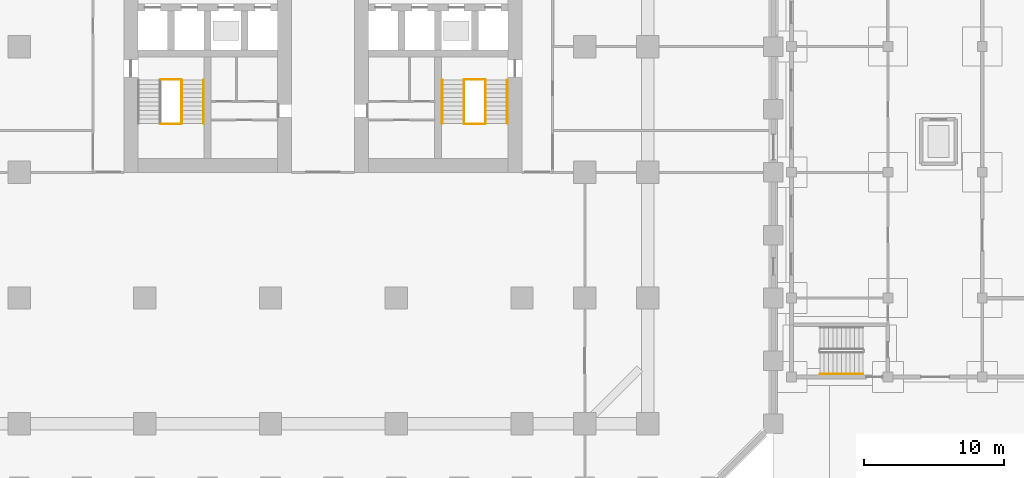
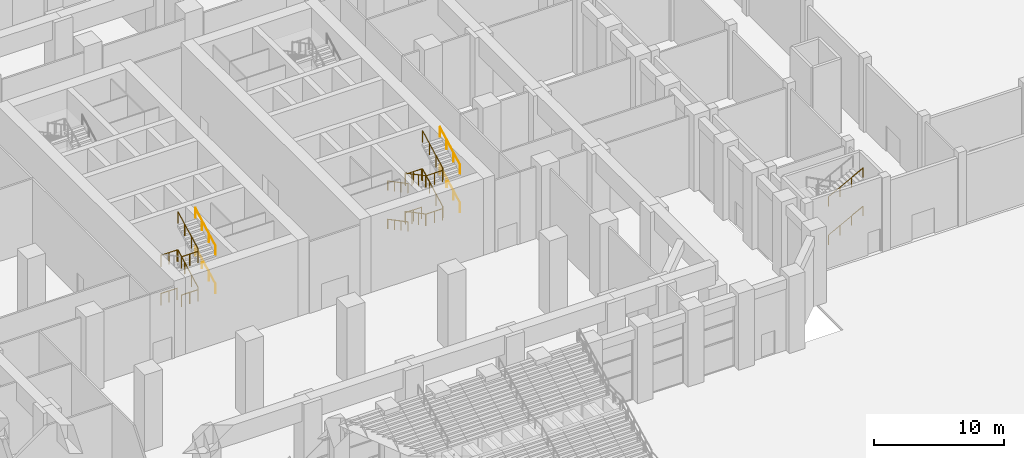
# One storey, part 23 of 30: 22 railings.
"""IFC4 building model written with IfcOpenShell, lengths in metres."""

from ifc_helpers import new_model, si_unit, direction, frame, origin, origin_2d, place, context, subcontext, project, spatial, circle, extrude, material, type_object, element, save


model = new_model("IFC4")

# Units and contexts
model_context = context("Model", 3, precision=1e-05, world=origin(), true_north=direction((0.0, 1.0)))
body_context = subcontext(model_context, "Body", "Model", "MODEL_VIEW")
ifc_project = project(units=[si_unit("LENGTHUNIT", "METRE"), si_unit("AREAUNIT", "SQUARE_METRE"), si_unit("VOLUMEUNIT", "CUBIC_METRE"), si_unit("PLANEANGLEUNIT", "RADIAN"), si_unit("MASSUNIT", "GRAM", prefix="KILO")], contexts=[model_context])

# Site, building, storey
site_placement = place(None, origin())
site = spatial("IfcSite", under=ifc_project, at=site_placement, CompositionType="ELEMENT")
building_placement = place(site_placement, origin())
building = spatial("IfcBuilding", under=site, at=building_placement, Name="Corbel Stack Research Tower", CompositionType="ELEMENT")
storey_placement = place(building_placement, origin())
storey = spatial("IfcBuildingStorey", under=building, at=storey_placement, Name="L00", CompositionType="ELEMENT", Elevation=0.0)

# Railings
ifc_material_1 = material(Name="Steel S235", Category="steel")
railing_type_1 = type_object("IfcRailingType", Name="HR2 handrail 900", PredefinedType="HANDRAIL", material=ifc_material_1)
railing_1_placement = place(storey_placement, frame((39.324951171875, -23.449951171875, 1.963623046875)))
element("IfcRailing", 1, at=railing_1_placement, inside=storey, type_object=railing_type_1, Name="L00 HS1 stair handrail 2", PredefinedType="HANDRAIL", context=body_context, shape_type="SweptSolid", body=[
    extrude(circle(Radius=0.02392578125, at=origin_2d()), frame((0.0, 0.0, 0.8759765625), z_axis=(0.884348015382, 0.0, 0.466828220752), x_axis=(0.0, 1.0, 0.0)), (0.0, 0.0, 1.0), 3.505615234375),
    extrude(circle(Radius=0.02099609375, at=origin_2d()), origin(), (0.0, 0.0, 1.0), 0.851806640625),
    extrude(circle(Radius=0.02099609375, at=origin_2d()), frame((1.033447265625, 0.0, 0.54541015625)), (0.0, 0.0, 1.0), 0.851806640625),
    extrude(circle(Radius=0.02099609375, at=origin_2d()), frame((2.066650390625, 0.0, 1.091064453125)), (0.0, 0.0, 1.0), 0.851806640625),
    extrude(circle(Radius=0.02099609375, at=origin_2d()), frame((3.10009765625, 0.0, 1.636474609375)), (0.0, 0.0, 1.0), 0.851806640625),
])
railing_2_placement = place(storey_placement, frame((39.324951171875, -23.449951171875, 5.563720703125)))
element("IfcRailing", 2, at=railing_2_placement, inside=storey, type_object=railing_type_1, Name="L00 HS1 stair handrail 4", PredefinedType="HANDRAIL", context=body_context, shape_type="SweptSolid", body=[
    extrude(circle(Radius=0.02392578125, at=origin_2d()), frame((0.0, 0.0, 0.8759765625), z_axis=(0.884376766648, 0.0, 0.46677375099), x_axis=(0.0, 1.0, 0.0)), (0.0, 0.0, 1.0), 3.50537109375),
    extrude(circle(Radius=0.02099609375, at=origin_2d()), origin(), (0.0, 0.0, 1.0), 0.851806640625),
    extrude(circle(Radius=0.02099609375, at=origin_2d()), frame((1.033447265625, 0.0, 0.54541015625)), (0.0, 0.0, 1.0), 0.851806640625),
    extrude(circle(Radius=0.02099609375, at=origin_2d()), frame((2.066650390625, 0.0, 1.0908203125)), (0.0, 0.0, 1.0), 0.851806640625),
    extrude(circle(Radius=0.02099609375, at=origin_2d()), frame((3.10009765625, 0.0, 1.63623046875)), (0.0, 0.0, 1.0), 0.851806640625),
])
ifc_material_2 = material(Name="Steel S355", Category="steel")
railing_type_2 = type_object("IfcRailingType", Name="Stair guard 1100", PredefinedType="GUARDRAIL", material=ifc_material_2)
railing_3_placement = place(storey_placement, frame((-7.85009765625, -5.550048828125, 1.800048828125)))
element("IfcRailing", 3, at=railing_3_placement, inside=storey, type_object=railing_type_2, Name="L00 ST-W1 stair guard 2", PredefinedType="GUARDRAIL", context=body_context, shape_type="SweptSolid", body=[
    extrude(circle(Radius=0.02392578125, at=origin_2d()), frame((0.0, 0.0, 1.076171875), z_axis=(1.0, 0.0, 0.0), x_axis=(0.0, 1.0, 0.0)), (0.0, 0.0, 1.0), 1.4501953125),
    extrude(circle(Radius=0.02099609375, at=origin_2d()), origin(), (0.0, 0.0, 1.0), 1.052001953125),
    extrude(circle(Radius=0.02099609375, at=origin_2d()), frame((0.72509765625, 0.0, 0.0)), (0.0, 0.0, 1.0), 1.052001953125),
    extrude(circle(Radius=0.02099609375, at=origin_2d()), frame((1.4501953125, 0.0, 0.0)), (0.0, 0.0, 1.0), 1.052001953125),
])
railing_4_placement = place(storey_placement, frame((-6.35009765625, -5.5, 1.963623046875)))
element("IfcRailing", 4, at=railing_4_placement, inside=storey, type_object=railing_type_2, Name="L00 ST-W1 stair guard 3", PredefinedType="GUARDRAIL", context=body_context, shape_type="SweptSolid", body=[
    extrude(circle(Radius=0.02392578125, at=origin_2d()), frame((0.0, 0.0, 1.076171875), z_axis=(0.0, 0.884348015382, 0.466828220752), x_axis=(-1.0, 0.0, 0.0)), (0.0, 0.0, 1.0), 3.505615234375),
    extrude(circle(Radius=0.02099609375, at=origin_2d()), origin(), (0.0, 0.0, 1.0), 1.052001953125),
    extrude(circle(Radius=0.02099609375, at=origin_2d()), frame((0.0, 1.033447265625, 0.54541015625)), (0.0, 0.0, 1.0), 1.052001953125),
    extrude(circle(Radius=0.02099609375, at=origin_2d()), frame((0.0, 2.066650390625, 1.091064453125)), (0.0, 0.0, 1.0), 1.052001953125),
    extrude(circle(Radius=0.02099609375, at=origin_2d()), frame((0.0, 3.10009765625, 1.636474609375)), (0.0, 0.0, 1.0), 1.052001953125),
])
for number, where, name in (
    (5, (-7.85009765625, -2.35009765625, 3.60009765625), "L00 ST-W1 stair guard 4"),
    (6, (-7.85009765625, -5.550048828125, 5.39990234375), "L00 ST-W1 stair guard 6"),
):
    element("IfcRailing", number, at=place(storey_placement, frame(where)), inside=storey, type_object=railing_type_2, Name=name, PredefinedType="GUARDRAIL", context=body_context, shape_type="SweptSolid", body=[
        extrude(circle(Radius=0.02392578125, at=origin_2d()), frame((0.0, 0.0, 1.076171875), z_axis=(1.0, 0.0, 0.0), x_axis=(0.0, 1.0, 0.0)), (0.0, 0.0, 1.0), 1.4501953125),
        extrude(circle(Radius=0.02099609375, at=origin_2d()), origin(), (0.0, 0.0, 1.0), 1.052001953125),
        extrude(circle(Radius=0.02099609375, at=origin_2d()), frame((0.72509765625, 0.0, 0.0)), (0.0, 0.0, 1.0), 1.052001953125),
        extrude(circle(Radius=0.02099609375, at=origin_2d()), frame((1.4501953125, 0.0, 0.0)), (0.0, 0.0, 1.0), 1.052001953125),
    ])
railing_5_placement = place(storey_placement, frame((-6.35009765625, -5.5, 5.563720703125)))
element("IfcRailing", 7, at=railing_5_placement, inside=storey, type_object=railing_type_2, Name="L00 ST-W1 stair guard 7", PredefinedType="GUARDRAIL", context=body_context, shape_type="SweptSolid", body=[
    extrude(circle(Radius=0.02392578125, at=origin_2d()), frame((0.0, 0.0, 1.076171875), z_axis=(0.0, 0.884376766648, 0.46677375099), x_axis=(-1.0, 0.0, 0.0)), (0.0, 0.0, 1.0), 3.50537109375),
    extrude(circle(Radius=0.02099609375, at=origin_2d()), origin(), (0.0, 0.0, 1.0), 1.052001953125),
    extrude(circle(Radius=0.02099609375, at=origin_2d()), frame((0.0, 1.033447265625, 0.54541015625)), (0.0, 0.0, 1.0), 1.052001953125),
    extrude(circle(Radius=0.02099609375, at=origin_2d()), frame((0.0, 2.066650390625, 1.0908203125)), (0.0, 0.0, 1.0), 1.052001953125),
    extrude(circle(Radius=0.02099609375, at=origin_2d()), frame((0.0, 3.10009765625, 1.63623046875)), (0.0, 0.0, 1.0), 1.052001953125),
])
railing_6_placement = place(storey_placement, frame((-7.85009765625, -2.35009765625, 0.0)))
element("IfcRailing", 8, at=railing_6_placement, inside=storey, type_object=railing_type_2, Name="L00 ST-W1 stair guard 8", PredefinedType="GUARDRAIL", context=body_context, shape_type="SweptSolid", body=[
    extrude(circle(Radius=0.02392578125, at=origin_2d()), frame((0.0, 0.0, 1.076171875), z_axis=(1.0, 0.0, 0.0), x_axis=(0.0, 1.0, 0.0)), (0.0, 0.0, 1.0), 1.4501953125),
    extrude(circle(Radius=0.02099609375, at=origin_2d()), origin(), (0.0, 0.0, 1.0), 1.052001953125),
    extrude(circle(Radius=0.02099609375, at=origin_2d()), frame((0.72509765625, 0.0, 0.0)), (0.0, 0.0, 1.0), 1.052001953125),
    extrude(circle(Radius=0.02099609375, at=origin_2d()), frame((1.4501953125, 0.0, 0.0)), (0.0, 0.0, 1.0), 1.052001953125),
])
railing_7_placement = place(storey_placement, frame((13.85009765625, -2.39990234375, 0.16357421875)))
element("IfcRailing", 9, at=railing_7_placement, inside=storey, type_object=railing_type_2, Name="L00 ST-E1 stair guard 1", PredefinedType="GUARDRAIL", context=body_context, shape_type="SweptSolid", body=[
    extrude(circle(Radius=0.02392578125, at=origin_2d()), frame((0.0, 0.0, 1.076171875), z_axis=(0.0, -0.884348015382, 0.466828220752), x_axis=(1.0, 0.0, 0.0)), (0.0, 0.0, 1.0), 3.505615234375),
    extrude(circle(Radius=0.02099609375, at=origin_2d()), origin(), (0.0, 0.0, 1.0), 1.052001953125),
    extrude(circle(Radius=0.02099609375, at=origin_2d()), frame((0.0, -1.033447265625, 0.54541015625)), (0.0, 0.0, 1.0), 1.052001953125),
    extrude(circle(Radius=0.02099609375, at=origin_2d()), frame((0.0, -2.066650390625, 1.091064453125)), (0.0, 0.0, 1.0), 1.052001953125),
    extrude(circle(Radius=0.02099609375, at=origin_2d()), frame((0.0, -3.10009765625, 1.636474609375)), (0.0, 0.0, 1.0), 1.052001953125),
])
railing_8_placement = place(storey_placement, frame((13.89990234375, -5.550048828125, 1.800048828125)))
element("IfcRailing", 10, at=railing_8_placement, inside=storey, type_object=railing_type_2, Name="L00 ST-E1 stair guard 2", PredefinedType="GUARDRAIL", context=body_context, shape_type="SweptSolid", body=[
    extrude(circle(Radius=0.02392578125, at=origin_2d()), frame((0.0, 0.0, 1.076171875), z_axis=(1.0, 0.0, 0.0), x_axis=(0.0, 1.0, 0.0)), (0.0, 0.0, 1.0), 1.4501953125),
    extrude(circle(Radius=0.02099609375, at=origin_2d()), origin(), (0.0, 0.0, 1.0), 1.052001953125),
    extrude(circle(Radius=0.02099609375, at=origin_2d()), frame((0.72509765625, 0.0, 0.0)), (0.0, 0.0, 1.0), 1.052001953125),
    extrude(circle(Radius=0.02099609375, at=origin_2d()), frame((1.4501953125, 0.0, 0.0)), (0.0, 0.0, 1.0), 1.052001953125),
])
railing_9_placement = place(storey_placement, frame((15.39990234375, -5.5, 1.963623046875)))
element("IfcRailing", 11, at=railing_9_placement, inside=storey, type_object=railing_type_2, Name="L00 ST-E1 stair guard 3", PredefinedType="GUARDRAIL", context=body_context, shape_type="SweptSolid", body=[
    extrude(circle(Radius=0.02392578125, at=origin_2d()), frame((0.0, 0.0, 1.076171875), z_axis=(0.0, 0.884348015382, 0.466828220752), x_axis=(-1.0, 0.0, 0.0)), (0.0, 0.0, 1.0), 3.505615234375),
    extrude(circle(Radius=0.02099609375, at=origin_2d()), origin(), (0.0, 0.0, 1.0), 1.052001953125),
    extrude(circle(Radius=0.02099609375, at=origin_2d()), frame((0.0, 1.033447265625, 0.54541015625)), (0.0, 0.0, 1.0), 1.052001953125),
    extrude(circle(Radius=0.02099609375, at=origin_2d()), frame((0.0, 2.066650390625, 1.091064453125)), (0.0, 0.0, 1.0), 1.052001953125),
    extrude(circle(Radius=0.02099609375, at=origin_2d()), frame((0.0, 3.10009765625, 1.636474609375)), (0.0, 0.0, 1.0), 1.052001953125),
])
railing_10_placement = place(storey_placement, frame((13.89990234375, -2.35009765625, 3.60009765625)))
element("IfcRailing", 12, at=railing_10_placement, inside=storey, type_object=railing_type_2, Name="L00 ST-E1 stair guard 4", PredefinedType="GUARDRAIL", context=body_context, shape_type="SweptSolid", body=[
    extrude(circle(Radius=0.02392578125, at=origin_2d()), frame((0.0, 0.0, 1.076171875), z_axis=(1.0, 0.0, 0.0), x_axis=(0.0, 1.0, 0.0)), (0.0, 0.0, 1.0), 1.4501953125),
    extrude(circle(Radius=0.02099609375, at=origin_2d()), origin(), (0.0, 0.0, 1.0), 1.052001953125),
    extrude(circle(Radius=0.02099609375, at=origin_2d()), frame((0.72509765625, 0.0, 0.0)), (0.0, 0.0, 1.0), 1.052001953125),
    extrude(circle(Radius=0.02099609375, at=origin_2d()), frame((1.4501953125, 0.0, 0.0)), (0.0, 0.0, 1.0), 1.052001953125),
])
railing_11_placement = place(storey_placement, frame((13.85009765625, -2.39990234375, 3.763671875)))
element("IfcRailing", 13, at=railing_11_placement, inside=storey, type_object=railing_type_2, Name="L00 ST-E1 stair guard 5", PredefinedType="GUARDRAIL", context=body_context, shape_type="SweptSolid", body=[
    extrude(circle(Radius=0.02392578125, at=origin_2d()), frame((0.0, 0.0, 1.076171875), z_axis=(0.0, -0.884376766648, 0.46677375099), x_axis=(1.0, 0.0, 0.0)), (0.0, 0.0, 1.0), 3.50537109375),
    extrude(circle(Radius=0.02099609375, at=origin_2d()), origin(), (0.0, 0.0, 1.0), 1.052001953125),
    extrude(circle(Radius=0.02099609375, at=origin_2d()), frame((0.0, -1.033447265625, 0.54541015625)), (0.0, 0.0, 1.0), 1.052001953125),
    extrude(circle(Radius=0.02099609375, at=origin_2d()), frame((0.0, -2.066650390625, 1.0908203125)), (0.0, 0.0, 1.0), 1.052001953125),
    extrude(circle(Radius=0.02099609375, at=origin_2d()), frame((0.0, -3.10009765625, 1.63623046875)), (0.0, 0.0, 1.0), 1.052001953125),
])
railing_12_placement = place(storey_placement, frame((13.89990234375, -5.550048828125, 5.39990234375)))
element("IfcRailing", 14, at=railing_12_placement, inside=storey, type_object=railing_type_2, Name="L00 ST-E1 stair guard 6", PredefinedType="GUARDRAIL", context=body_context, shape_type="SweptSolid", body=[
    extrude(circle(Radius=0.02392578125, at=origin_2d()), frame((0.0, 0.0, 1.076171875), z_axis=(1.0, 0.0, 0.0), x_axis=(0.0, 1.0, 0.0)), (0.0, 0.0, 1.0), 1.4501953125),
    extrude(circle(Radius=0.02099609375, at=origin_2d()), origin(), (0.0, 0.0, 1.0), 1.052001953125),
    extrude(circle(Radius=0.02099609375, at=origin_2d()), frame((0.72509765625, 0.0, 0.0)), (0.0, 0.0, 1.0), 1.052001953125),
    extrude(circle(Radius=0.02099609375, at=origin_2d()), frame((1.4501953125, 0.0, 0.0)), (0.0, 0.0, 1.0), 1.052001953125),
])
railing_13_placement = place(storey_placement, frame((15.39990234375, -5.5, 5.563720703125)))
element("IfcRailing", 15, at=railing_13_placement, inside=storey, type_object=railing_type_2, Name="L00 ST-E1 stair guard 7", PredefinedType="GUARDRAIL", context=body_context, shape_type="SweptSolid", body=[
    extrude(circle(Radius=0.02392578125, at=origin_2d()), frame((0.0, 0.0, 1.076171875), z_axis=(0.0, 0.884376766648, 0.46677375099), x_axis=(-1.0, 0.0, 0.0)), (0.0, 0.0, 1.0), 3.50537109375),
    extrude(circle(Radius=0.02099609375, at=origin_2d()), origin(), (0.0, 0.0, 1.0), 1.052001953125),
    extrude(circle(Radius=0.02099609375, at=origin_2d()), frame((0.0, 1.033447265625, 0.54541015625)), (0.0, 0.0, 1.0), 1.052001953125),
    extrude(circle(Radius=0.02099609375, at=origin_2d()), frame((0.0, 2.066650390625, 1.0908203125)), (0.0, 0.0, 1.0), 1.052001953125),
    extrude(circle(Radius=0.02099609375, at=origin_2d()), frame((0.0, 3.10009765625, 1.63623046875)), (0.0, 0.0, 1.0), 1.052001953125),
])
railing_14_placement = place(storey_placement, frame((13.89990234375, -2.35009765625, 0.0)))
element("IfcRailing", 16, at=railing_14_placement, inside=storey, type_object=railing_type_2, Name="L00 ST-E1 stair guard 8", PredefinedType="GUARDRAIL", context=body_context, shape_type="SweptSolid", body=[
    extrude(circle(Radius=0.02392578125, at=origin_2d()), frame((0.0, 0.0, 1.076171875), z_axis=(1.0, 0.0, 0.0), x_axis=(0.0, 1.0, 0.0)), (0.0, 0.0, 1.0), 1.4501953125),
    extrude(circle(Radius=0.02099609375, at=origin_2d()), origin(), (0.0, 0.0, 1.0), 1.052001953125),
    extrude(circle(Radius=0.02099609375, at=origin_2d()), frame((0.72509765625, 0.0, 0.0)), (0.0, 0.0, 1.0), 1.052001953125),
    extrude(circle(Radius=0.02099609375, at=origin_2d()), frame((1.4501953125, 0.0, 0.0)), (0.0, 0.0, 1.0), 1.052001953125),
])
ifc_material_3 = material(Name="Steel S355", Category="steel")
railing_type_3 = type_object("IfcRailingType", Name="Stair handrail 900", PredefinedType="HANDRAIL", material=ifc_material_3)
railing_15_placement = place(storey_placement, frame((-4.800048828125, -5.5, 1.963623046875)))
element("IfcRailing", 17, at=railing_15_placement, inside=storey, type_object=railing_type_3, Name="L00 ST-W1 stair handrail 2", PredefinedType="HANDRAIL", context=body_context, shape_type="SweptSolid", body=[
    extrude(circle(Radius=0.02392578125, at=origin_2d()), frame((0.0, 0.0, 0.8759765625), z_axis=(0.0, 0.884348015382, 0.466828220752), x_axis=(-1.0, 0.0, 0.0)), (0.0, 0.0, 1.0), 3.505615234375),
    extrude(circle(Radius=0.02099609375, at=origin_2d()), origin(), (0.0, 0.0, 1.0), 0.851806640625),
    extrude(circle(Radius=0.02099609375, at=origin_2d()), frame((0.0, 1.033447265625, 0.54541015625)), (0.0, 0.0, 1.0), 0.851806640625),
    extrude(circle(Radius=0.02099609375, at=origin_2d()), frame((0.0, 2.066650390625, 1.091064453125)), (0.0, 0.0, 1.0), 0.851806640625),
    extrude(circle(Radius=0.02099609375, at=origin_2d()), frame((0.0, 3.10009765625, 1.636474609375)), (0.0, 0.0, 1.0), 0.851806640625),
])
railing_16_placement = place(storey_placement, frame((-4.800048828125, -5.5, 5.563720703125)))
element("IfcRailing", 18, at=railing_16_placement, inside=storey, type_object=railing_type_3, Name="L00 ST-W1 stair handrail 4", PredefinedType="HANDRAIL", context=body_context, shape_type="SweptSolid", body=[
    extrude(circle(Radius=0.02392578125, at=origin_2d()), frame((0.0, 0.0, 0.8759765625), z_axis=(0.0, 0.884376766648, 0.46677375099), x_axis=(-1.0, 0.0, 0.0)), (0.0, 0.0, 1.0), 3.50537109375),
    extrude(circle(Radius=0.02099609375, at=origin_2d()), origin(), (0.0, 0.0, 1.0), 0.851806640625),
    extrude(circle(Radius=0.02099609375, at=origin_2d()), frame((0.0, 1.033447265625, 0.54541015625)), (0.0, 0.0, 1.0), 0.851806640625),
    extrude(circle(Radius=0.02099609375, at=origin_2d()), frame((0.0, 2.066650390625, 1.0908203125)), (0.0, 0.0, 1.0), 0.851806640625),
    extrude(circle(Radius=0.02099609375, at=origin_2d()), frame((0.0, 3.10009765625, 1.63623046875)), (0.0, 0.0, 1.0), 0.851806640625),
])
railing_17_placement = place(storey_placement, frame((12.300048828125, -2.39990234375, 0.16357421875)))
element("IfcRailing", 19, at=railing_17_placement, inside=storey, type_object=railing_type_3, Name="L00 ST-E1 stair handrail 1", PredefinedType="HANDRAIL", context=body_context, shape_type="SweptSolid", body=[
    extrude(circle(Radius=0.02392578125, at=origin_2d()), frame((0.0, 0.0, 0.8759765625), z_axis=(0.0, -0.884348015382, 0.466828220752), x_axis=(1.0, 0.0, 0.0)), (0.0, 0.0, 1.0), 3.505615234375),
    extrude(circle(Radius=0.02099609375, at=origin_2d()), origin(), (0.0, 0.0, 1.0), 0.851806640625),
    extrude(circle(Radius=0.02099609375, at=origin_2d()), frame((0.0, -1.033447265625, 0.54541015625)), (0.0, 0.0, 1.0), 0.851806640625),
    extrude(circle(Radius=0.02099609375, at=origin_2d()), frame((0.0, -2.066650390625, 1.091064453125)), (0.0, 0.0, 1.0), 0.851806640625),
    extrude(circle(Radius=0.02099609375, at=origin_2d()), frame((0.0, -3.10009765625, 1.636474609375)), (0.0, 0.0, 1.0), 0.851806640625),
])
railing_18_placement = place(storey_placement, frame((16.949951171875, -5.5, 1.963623046875)))
element("IfcRailing", 20, at=railing_18_placement, inside=storey, type_object=railing_type_3, Name="L00 ST-E1 stair handrail 2", PredefinedType="HANDRAIL", context=body_context, shape_type="SweptSolid", body=[
    extrude(circle(Radius=0.02392578125, at=origin_2d()), frame((0.0, 0.0, 0.8759765625), z_axis=(0.0, 0.884348015382, 0.466828220752), x_axis=(-1.0, 0.0, 0.0)), (0.0, 0.0, 1.0), 3.505615234375),
    extrude(circle(Radius=0.02099609375, at=origin_2d()), origin(), (0.0, 0.0, 1.0), 0.851806640625),
    extrude(circle(Radius=0.02099609375, at=origin_2d()), frame((0.0, 1.033447265625, 0.54541015625)), (0.0, 0.0, 1.0), 0.851806640625),
    extrude(circle(Radius=0.02099609375, at=origin_2d()), frame((0.0, 2.066650390625, 1.091064453125)), (0.0, 0.0, 1.0), 0.851806640625),
    extrude(circle(Radius=0.02099609375, at=origin_2d()), frame((0.0, 3.10009765625, 1.636474609375)), (0.0, 0.0, 1.0), 0.851806640625),
])
railing_19_placement = place(storey_placement, frame((12.300048828125, -2.39990234375, 3.763671875)))
element("IfcRailing", 21, at=railing_19_placement, inside=storey, type_object=railing_type_3, Name="L00 ST-E1 stair handrail 3", PredefinedType="HANDRAIL", context=body_context, shape_type="SweptSolid", body=[
    extrude(circle(Radius=0.02392578125, at=origin_2d()), frame((0.0, 0.0, 0.8759765625), z_axis=(0.0, -0.884376766648, 0.46677375099), x_axis=(1.0, 0.0, 0.0)), (0.0, 0.0, 1.0), 3.50537109375),
    extrude(circle(Radius=0.02099609375, at=origin_2d()), origin(), (0.0, 0.0, 1.0), 0.851806640625),
    extrude(circle(Radius=0.02099609375, at=origin_2d()), frame((0.0, -1.033447265625, 0.54541015625)), (0.0, 0.0, 1.0), 0.851806640625),
    extrude(circle(Radius=0.02099609375, at=origin_2d()), frame((0.0, -2.066650390625, 1.0908203125)), (0.0, 0.0, 1.0), 0.851806640625),
    extrude(circle(Radius=0.02099609375, at=origin_2d()), frame((0.0, -3.10009765625, 1.63623046875)), (0.0, 0.0, 1.0), 0.851806640625),
])
railing_20_placement = place(storey_placement, frame((16.949951171875, -5.5, 5.563720703125)))
element("IfcRailing", 22, at=railing_20_placement, inside=storey, type_object=railing_type_3, Name="L00 ST-E1 stair handrail 4", PredefinedType="HANDRAIL", context=body_context, shape_type="SweptSolid", body=[
    extrude(circle(Radius=0.02392578125, at=origin_2d()), frame((0.0, 0.0, 0.8759765625), z_axis=(0.0, 0.884376766648, 0.46677375099), x_axis=(-1.0, 0.0, 0.0)), (0.0, 0.0, 1.0), 3.50537109375),
    extrude(circle(Radius=0.02099609375, at=origin_2d()), origin(), (0.0, 0.0, 1.0), 0.851806640625),
    extrude(circle(Radius=0.02099609375, at=origin_2d()), frame((0.0, 1.033447265625, 0.54541015625)), (0.0, 0.0, 1.0), 0.851806640625),
    extrude(circle(Radius=0.02099609375, at=origin_2d()), frame((0.0, 2.066650390625, 1.0908203125)), (0.0, 0.0, 1.0), 0.851806640625),
    extrude(circle(Radius=0.02099609375, at=origin_2d()), frame((0.0, 3.10009765625, 1.63623046875)), (0.0, 0.0, 1.0), 0.851806640625),
])

save(model, "model.ifc")
